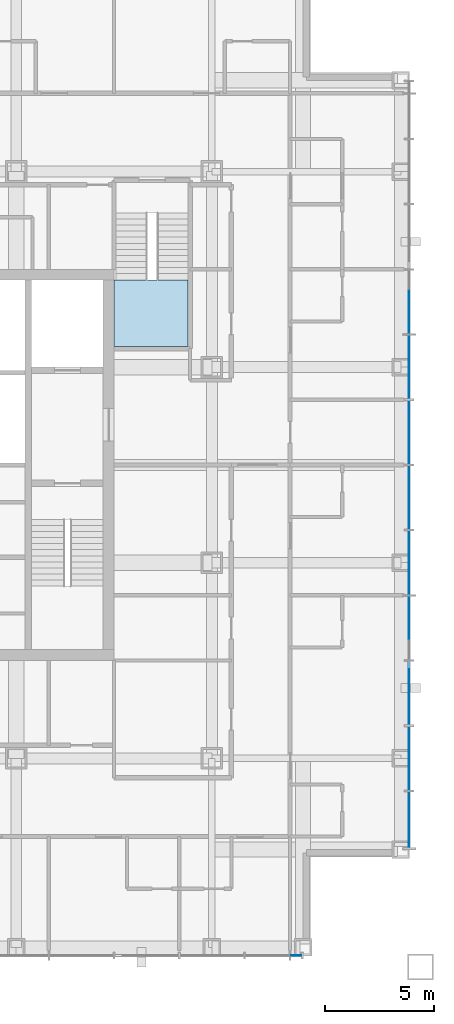
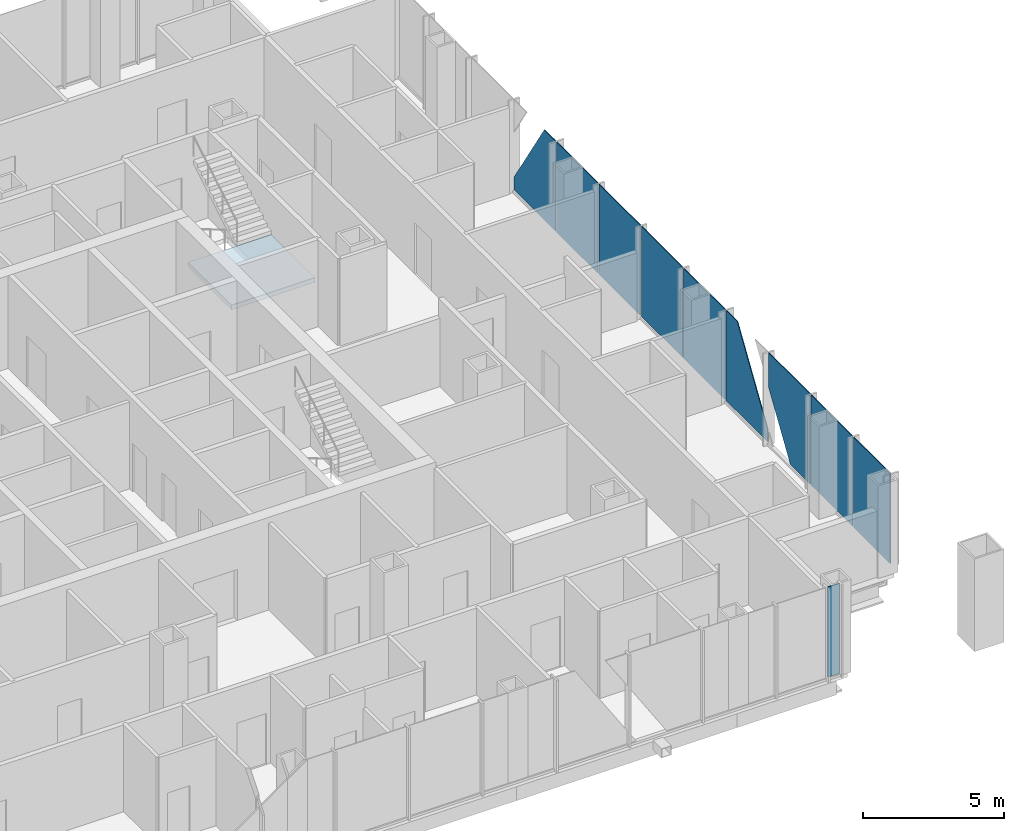
# One storey, part 8 of 21: 10 plates, 1 slab, 3 elements without a shape of their own.
"""IFC4 building model written with IfcOpenShell, lengths in metres."""

from ifc_helpers import new_model, si_unit, direction, frame, origin, origin_2d, place, context, subcontext, project, spatial, polyline, rectangle, outline, extrude, material, layer, layer_set, type_object, element, aggregate, save


model = new_model("IFC4")

# Units and contexts
model_context = context("Model", 3, precision=1e-05, world=origin(), true_north=direction((0.0, 1.0)))
body_context = subcontext(model_context, "Body", "Model", "MODEL_VIEW")
ifc_project = project(units=[si_unit("LENGTHUNIT", "METRE"), si_unit("AREAUNIT", "SQUARE_METRE"), si_unit("VOLUMEUNIT", "CUBIC_METRE"), si_unit("PLANEANGLEUNIT", "RADIAN"), si_unit("MASSUNIT", "GRAM", prefix="KILO")], contexts=[model_context])

# Site, building, storey
site_placement = place(None, origin())
site = spatial("IfcSite", under=ifc_project, at=site_placement, CompositionType="ELEMENT")
building_placement = place(site_placement, origin())
building = spatial("IfcBuilding", under=site, at=building_placement, Name="Malebo Sky Hospital", CompositionType="ELEMENT")
storey_placement = place(building_placement, frame((0.0, 0.0, 229.0)))
storey = spatial("IfcBuildingStorey", under=building, at=storey_placement, Name="L55", CompositionType="ELEMENT", Elevation=229.0)

# Stair, slab
ifc_material_1 = material(Name="Concrete C40/50", Category="concrete")
stair_type = type_object("IfcStairType", Name="HALF-TURN STAIR 1400 R167", PredefinedType="HALF_TURN_STAIR", material=ifc_material_1)
stair_placement = place(storey_placement, origin())
stair = element("IfcStair", 1, at=stair_placement, inside=storey, type_object=stair_type, Name="Stair S3 L55 type ST1B", PredefinedType="HALF_TURN_STAIR")
ifc_layer_1 = layer(ifc_material_1, 0.199951171875)
ifc_layer_set_1 = layer_set([ifc_layer_1], Name="STAIR LANDING 200")
slab_type = type_object("IfcSlabType", Name="STAIR LANDING 200", PredefinedType="LANDING", material=ifc_layer_set_1)
slab_placement = place(storey_placement, frame((0.0, 0.0, 1.800048828125)))
slab = element("IfcSlab", 2, at=slab_placement, type_object=slab_type, Name="S3 landing 2", PredefinedType="LANDING", context=body_context, shape_type="SweptSolid", body=[
    extrude(outline(polyline([(69.0, 67.449951171875), (72.39990234375, 67.449951171875), (72.39990234375, 70.52001953125), (69.0, 70.52001953125), (69.0, 67.449951171875)])), origin(), (0.0, 0.0, 1.0), 0.199951171875),
])
aggregate(stair, [slab])

# Curtain wall, plate
ifc_material_2 = material(Name="Anodised aluminium, natural silver", Category="aluminium")
ifc_layer_2 = layer(ifc_material_2, 0.25)
ifc_layer_set_2 = layer_set([ifc_layer_2], Name="WARD CURTAIN WALL NORTH AND SOUTH")
curtain_wall_type_1 = type_object("IfcCurtainWallType", Name="WARD CURTAIN WALL NORTH AND SOUTH", PredefinedType="NOTDEFINED", material=ifc_layer_set_2)
curtain_wall_1_placement = place(storey_placement, origin())
curtain_wall_1 = element("IfcCurtainWall", 3, at=curtain_wall_1_placement, inside=storey, type_object=curtain_wall_type_1, Name="NS curtain wall S", PredefinedType="NOTDEFINED")
ifc_material_3 = material(Name="Clear low-iron double glazing", Category="glass")
ifc_layer_3 = layer(ifc_material_3, 0.031982421875)
ifc_layer_set_3 = layer_set([ifc_layer_3], Name="VISION PANEL CLEAR 32")
plate_type = type_object("IfcPlateType", Name="VISION PANEL CLEAR 32", PredefinedType="CURTAIN_PANEL", material=ifc_layer_set_3)
plate_1_placement = place(storey_placement, frame((77.38134765625, 39.425048828125, 0.10009765625), z_axis=(0.0, 0.0, 1.0), x_axis=(-1.0, 0.0, 0.0)))
plate_1 = element("IfcPlate", 4, at=plate_1_placement, type_object=plate_type, Name="Panel 1", PredefinedType="CURTAIN_PANEL", context=body_context, shape_type="SweptSolid", body=[
    extrude(rectangle(XDim=0.487548828125, YDim=0.031982421875, at=origin_2d()), origin(), (0.0, 0.0, 1.0), 3.889892578125),
])
aggregate(curtain_wall_1, [plate_1])

# Curtain wall, plates
ifc_layer_4 = layer(ifc_material_2, 0.25)
ifc_layer_set_4 = layer_set([ifc_layer_4], Name="WARD CURTAIN WALL EAST AND WEST")
curtain_wall_type_2 = type_object("IfcCurtainWallType", Name="WARD CURTAIN WALL EAST AND WEST", PredefinedType="NOTDEFINED", material=ifc_layer_set_4)
curtain_wall_2_placement = place(storey_placement, origin())
curtain_wall_2 = element("IfcCurtainWall", 5, at=curtain_wall_2_placement, inside=storey, type_object=curtain_wall_type_2, Name="EW curtain wall E", PredefinedType="NOTDEFINED")
plate_2_placement = place(storey_placement, frame((82.574951171875, 69.5, 0.10009765625), z_axis=(0.0, 0.0, 1.0), x_axis=(0.0, -1.0, 0.0)))
plate_2 = element("IfcPlate", 6, at=plate_2_placement, type_object=plate_type, Name="Panel 5", PredefinedType="CURTAIN_PANEL", context=body_context, shape_type="SweptSolid", body=[
    extrude(outline(polyline([(-1.46240234375, 0.0), (1.46240234375, 0.0), (1.46240234375, 3.889892578125), (0.674560546875, 3.889892578125), (-1.46240234375, 0.5595703125), (-1.46240234375, 0.0)])), frame((0.0, 0.01611328125, 0.0), z_axis=(0.0, -1.0, 0.0), x_axis=(1.0, 0.0, 0.0)), (0.0, 0.0, 1.0), 0.031982421875),
])
plate_3_placement = place(storey_placement, frame((82.574951171875, 66.5, 0.10009765625), z_axis=(0.0, 0.0, 1.0), x_axis=(0.0, -1.0, 0.0)))
plate_3 = element("IfcPlate", 7, at=plate_3_placement, type_object=plate_type, Name="Panel 6", PredefinedType="CURTAIN_PANEL", context=body_context, shape_type="SweptSolid", body=[
    extrude(rectangle(XDim=2.925048828125, YDim=0.031982421875, at=origin_2d()), origin(), (0.0, 0.0, 1.0), 3.889892578125),
])
plate_4_placement = place(storey_placement, frame((82.574951171875, 63.5, 0.10009765625), z_axis=(0.0, 0.0, 1.0), x_axis=(0.0, -1.0, 0.0)))
plate_4 = element("IfcPlate", 8, at=plate_4_placement, type_object=plate_type, Name="Panel 7", PredefinedType="CURTAIN_PANEL", context=body_context, shape_type="SweptSolid", body=[
    extrude(rectangle(XDim=2.925048828125, YDim=0.031982421875, at=origin_2d()), origin(), (0.0, 0.0, 1.0), 3.889892578125),
])
plate_5_placement = place(storey_placement, frame((82.574951171875, 60.5, 0.10009765625), z_axis=(0.0, 0.0, 1.0), x_axis=(0.0, -1.0, 0.0)))
plate_5 = element("IfcPlate", 9, at=plate_5_placement, type_object=plate_type, Name="Panel 8", PredefinedType="CURTAIN_PANEL", context=body_context, shape_type="SweptSolid", body=[
    extrude(rectangle(XDim=2.925048828125, YDim=0.031982421875, at=origin_2d()), origin(), (0.0, 0.0, 1.0), 3.889892578125),
])
plate_6_placement = place(storey_placement, frame((82.574951171875, 57.5, 0.10009765625), z_axis=(0.0, 0.0, 1.0), x_axis=(0.0, -1.0, 0.0)))
plate_6 = element("IfcPlate", 10, at=plate_6_placement, type_object=plate_type, Name="Panel 9", PredefinedType="CURTAIN_PANEL", context=body_context, shape_type="SweptSolid", body=[
    extrude(rectangle(XDim=2.925048828125, YDim=0.031982421875, at=origin_2d()), origin(), (0.0, 0.0, 1.0), 3.889892578125),
])
plate_7_placement = place(storey_placement, frame((82.574951171875, 54.5, 0.10009765625), z_axis=(0.0, 0.0, 1.0), x_axis=(0.0, -1.0, 0.0)))
plate_7 = element("IfcPlate", 11, at=plate_7_placement, type_object=plate_type, Name="Panel 10", PredefinedType="CURTAIN_PANEL", context=body_context, shape_type="SweptSolid", body=[
    extrude(outline(polyline([(-1.46240234375, 0.0), (1.46240234375, 0.0), (1.46240234375, 0.5595703125), (-0.674560546875, 3.889892578125), (-1.46240234375, 3.889892578125), (-1.46240234375, 0.0)])), frame((0.0, 0.01611328125, 0.0), z_axis=(0.0, -1.0, 0.0), x_axis=(1.0, 0.0, 0.0)), (0.0, 0.0, 1.0), 0.031982421875),
])
plate_8_placement = place(storey_placement, frame((82.574951171875, 51.5, 0.10009765625), z_axis=(0.0, 0.0, 1.0), x_axis=(0.0, -1.0, 0.0)))
plate_8 = element("IfcPlate", 12, at=plate_8_placement, type_object=plate_type, Name="Panel 11", PredefinedType="CURTAIN_PANEL", context=body_context, shape_type="SweptSolid", body=[
    extrude(outline(polyline([(0.0703125, 0.0), (1.46240234375, 0.0), (1.46240234375, 3.889892578125), (-1.46240234375, 3.889892578125), (-1.46240234375, 2.388916015625), (0.0703125, 0.0)])), frame((0.0, 0.01611328125, 0.0), z_axis=(0.0, -1.0, 0.0), x_axis=(1.0, 0.0, 0.0)), (0.0, 0.0, 1.0), 0.031982421875),
])
plate_9_placement = place(storey_placement, frame((82.574951171875, 48.5, 0.10009765625), z_axis=(0.0, 0.0, 1.0), x_axis=(0.0, -1.0, 0.0)))
plate_9 = element("IfcPlate", 13, at=plate_9_placement, type_object=plate_type, Name="Panel 12", PredefinedType="CURTAIN_PANEL", context=body_context, shape_type="SweptSolid", body=[
    extrude(rectangle(XDim=2.925048828125, YDim=0.031982421875, at=origin_2d()), origin(), (0.0, 0.0, 1.0), 3.889892578125),
])
plate_10_placement = place(storey_placement, frame((82.574951171875, 45.668701171875, 0.10009765625), z_axis=(0.0, 0.0, 1.0), x_axis=(0.0, -1.0, 0.0)))
plate_10 = element("IfcPlate", 14, at=plate_10_placement, type_object=plate_type, Name="Panel 13", PredefinedType="CURTAIN_PANEL", context=body_context, shape_type="SweptSolid", body=[
    extrude(rectangle(XDim=2.58740234375, YDim=0.031982421875, at=origin_2d()), origin(), (0.0, 0.0, 1.0), 3.889892578125),
])
aggregate(curtain_wall_2, [plate_2, plate_3, plate_4, plate_5, plate_6, plate_7, plate_8, plate_9, plate_10])

save(model, "model.ifc")
